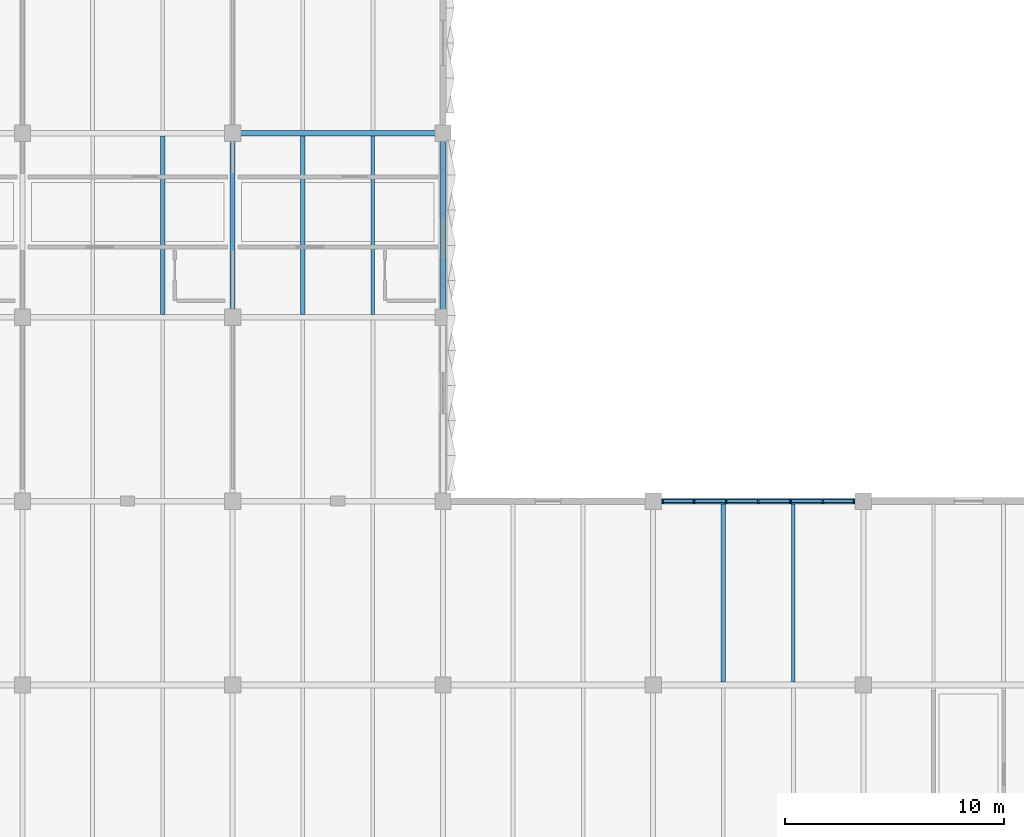
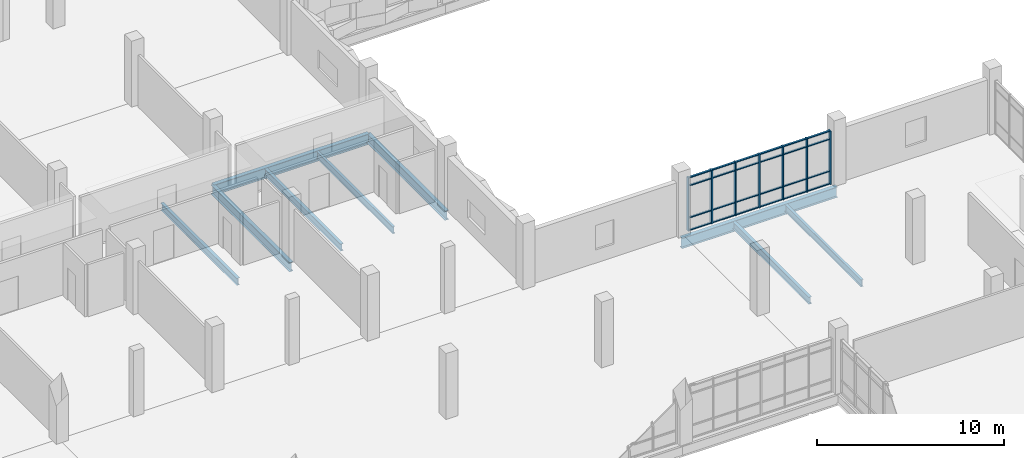
# One storey, part 34 of 86: 31 members, 9 beams, 1 element without a shape of its own.
"""IFC4 building model written with IfcOpenShell, lengths in metres."""

from ifc_helpers import new_model, si_unit, direction, frame, origin, origin_2d, place, context, subcontext, project, spatial, rectangle, i_section, extrude, material, material_profile, profile_set, type_object, element, aggregate, save


model = new_model("IFC4")

# Units and contexts
model_context = context("Model", 3, precision=1e-05, world=origin(), true_north=direction((0.0, 1.0)))
body_context = subcontext(model_context, "Body", "Model", "MODEL_VIEW")
ifc_project = project(units=[si_unit("LENGTHUNIT", "METRE"), si_unit("AREAUNIT", "SQUARE_METRE"), si_unit("VOLUMEUNIT", "CUBIC_METRE"), si_unit("PLANEANGLEUNIT", "RADIAN"), si_unit("MASSUNIT", "GRAM", prefix="KILO")], contexts=[model_context])

# Site, building, storey
site_placement = place(None, origin())
site = spatial("IfcSite", under=ifc_project, at=site_placement, CompositionType="ELEMENT")
building_placement = place(site_placement, origin())
building = spatial("IfcBuilding", under=site, at=building_placement, Name="Oolite Switchyard Hospital", CompositionType="ELEMENT")
storey_placement = place(building_placement, frame((0.0, 0.0, 13.5)))
storey = spatial("IfcBuildingStorey", under=building, at=storey_placement, Name="L03", CompositionType="ELEMENT", Elevation=13.5)

# Beams
ifc_material_1 = material(Name="Steel ASTM A992 Grade 50", Category="steel")
ifc_material_profile_1 = material_profile(ifc_material_1, i_section(OverallWidth=0.153076171875, OverallDepth=0.455078125, WebThickness=0.008056640625, FlangeThickness=0.012939453125, at=origin_2d()), Name="W18X40")
ifc_profile_set_1 = profile_set([ifc_material_profile_1], Name="Steel ASTM A992 Grade 50")
beam_type_1 = type_object("IfcBeamType", Name="BM-W18X40", PredefinedType="JOIST", material=ifc_profile_set_1)
for number, where, z_axis, x_axis, name in (
    (1, (169.60009765625, 84.126953125, -0.501953125), (0.0, 1.0, 0.0), (-1.0, 0.0, 0.0), "L03 Secondary Steel Joist 2669"),
    (2, (188.800048828125, 67.326904296875, -0.501953125), (0.0, 1.0, 0.0), (-1.0, 0.0, 0.0), "L03 Secondary Steel Joist 2709"),
):
    element("IfcBeam", number, at=place(storey_placement, frame(where, z_axis=z_axis, x_axis=x_axis)), inside=storey, type_object=beam_type_1, Name=name, PredefinedType="JOIST", context=body_context, shape_type="SweptSolid", body=[
        extrude(i_section(OverallWidth=0.153076171875, OverallDepth=0.455078125, WebThickness=0.008056640625, FlangeThickness=0.012939453125, at=origin_2d()), origin(), (0.0, 0.0, 1.0), 8.14599609375),
    ])
ifc_material_profile_2 = material_profile(ifc_material_1, i_section(OverallWidth=0.19091796875, OverallDepth=0.4599609375, WebThickness=0.010009765625, FlangeThickness=0.01611328125, at=origin_2d()), Name="W18X55")
ifc_profile_set_2 = profile_set([ifc_material_profile_2], Name="Steel ASTM A992 Grade 50")
beam_type_2 = type_object("IfcBeamType", Name="BM-W18X55", PredefinedType="JOIST", material=ifc_profile_set_2)
for number, where, z_axis, x_axis, name in (
    (3, (160.0, 84.126953125, -0.5048828125), (0.0, 1.0, 0.0), (-1.0, 0.0, 0.0), "L03 Secondary Steel Joist 2649"),
    (4, (166.39990234375, 84.126953125, -0.5048828125), (0.0, 1.0, 0.0), (-1.0, 0.0, 0.0), "L03 Secondary Steel Joist 2668"),
    (5, (185.60009765625, 67.326904296875, -0.5048828125), (0.0, 1.0, 0.0), (-1.0, 0.0, 0.0), "L03 Secondary Steel Joist 2708"),
):
    element("IfcBeam", number, at=place(storey_placement, frame(where, z_axis=z_axis, x_axis=x_axis)), inside=storey, type_object=beam_type_2, Name=name, PredefinedType="JOIST", context=body_context, shape_type="SweptSolid", body=[
        extrude(i_section(OverallWidth=0.19091796875, OverallDepth=0.4599609375, WebThickness=0.010009765625, FlangeThickness=0.01611328125, at=origin_2d()), origin(), (0.0, 0.0, 1.0), 8.14599609375),
    ])
ifc_material_profile_3 = material_profile(ifc_material_1, i_section(OverallWidth=0.22900390625, OverallDepth=0.612060546875, WebThickness=0.011962890625, FlangeThickness=0.02001953125, at=origin_2d()), Name="W24X84")
ifc_profile_set_3 = profile_set([ifc_material_profile_3], Name="Steel ASTM A992 Grade 50")
beam_type_3 = type_object("IfcBeamType", Name="BM-W24X84", PredefinedType="BEAM", material=ifc_profile_set_3)
for number, where, z_axis, x_axis, name in (
    (6, (163.199951171875, 84.0, -0.5810546875), (0.0, 1.0, 0.0), (-1.0, 0.0, 0.0), "L03 Y-Girder 2329"),
    (7, (172.800048828125, 84.0, -0.5810546875), (0.0, 1.0, 0.0), (-1.0, 0.0, 0.0), "L03 Y-Girder 2340"),
):
    element("IfcBeam", number, at=place(storey_placement, frame(where, z_axis=z_axis, x_axis=x_axis)), inside=storey, type_object=beam_type_3, Name=name, PredefinedType="BEAM", context=body_context, shape_type="SweptSolid", body=[
        extrude(i_section(OverallWidth=0.22900390625, OverallDepth=0.612060546875, WebThickness=0.011962890625, FlangeThickness=0.02001953125, at=origin_2d()), origin(), (0.0, 0.0, 1.0), 8.39990234375),
    ])
ifc_material_profile_4 = material_profile(ifc_material_1, i_section(OverallWidth=0.25390625, OverallDepth=0.68408203125, WebThickness=0.011962890625, FlangeThickness=0.01904296875, at=origin_2d()), Name="W27X94")
ifc_profile_set_4 = profile_set([ifc_material_profile_4], Name="Steel ASTM A992 Grade 50")
beam_type_4 = type_object("IfcBeamType", Name="BM-W27X94", PredefinedType="BEAM", material=ifc_profile_set_4)
for number, where, z_axis, x_axis, name in (
    (8, (182.39990234375, 75.60009765625, -0.616943359375), (1.0, 0.0, 0.0), (0.0, 1.0, 0.0), "L03 X-Girder 2036"),
    (9, (163.199951171875, 92.39990234375, -0.616943359375), (1.0, 0.0, 0.0), (0.0, 1.0, 0.0), "L03 X-Girder 2073"),
):
    element("IfcBeam", number, at=place(storey_placement, frame(where, z_axis=z_axis, x_axis=x_axis)), inside=storey, type_object=beam_type_4, Name=name, PredefinedType="BEAM", context=body_context, shape_type="SweptSolid", body=[
        extrude(i_section(OverallWidth=0.25390625, OverallDepth=0.68408203125, WebThickness=0.011962890625, FlangeThickness=0.01904296875, at=origin_2d()), origin(), (0.0, 0.0, 1.0), 9.60009765625),
    ])

# Curtain wall, members
ifc_material_2 = material(Name="Thermally broken aluminum frame with laminated impact glazing", Category="aluminium")
curtain_wall_type = type_object("IfcCurtainWallType", Name="CW-UNIT-96X43", PredefinedType="USERDEFINED", material=ifc_material_2)
curtain_wall_placement = place(storey_placement, origin())
curtain_wall = element("IfcCurtainWall", 10, at=curtain_wall_placement, inside=storey, type_object=curtain_wall_type, Name="L03 Unitised Curtain Wall 338", ObjectType="UNITISED", PredefinedType="USERDEFINED")
ifc_material_3 = material(Name="Aluminium 6063-T6", Category="aluminium")
ifc_material_profile_5 = material_profile(ifc_material_3, rectangle(XDim=0.199951171875, YDim=0.074951171875, at=origin_2d()), Name="CWM75X200")
ifc_profile_set_5 = profile_set([ifc_material_profile_5], Name="Aluminium 6063-T6")
member_type_1 = type_object("IfcMemberType", Name="CW-MUL-260", PredefinedType="MULLION", material=ifc_profile_set_5)
member_1_placement = place(storey_placement, frame((182.827392578125, 75.60009765625, 0.0), z_axis=(0.0, 0.0, 1.0), x_axis=(0.0, 1.0, 0.0)))
member_1 = element("IfcMember", 11, at=member_1_placement, type_object=member_type_1, Name="CW-04 mullion 1", PredefinedType="MULLION", context=body_context, shape_type="SweptSolid", body=[
    extrude(rectangle(XDim=0.199951171875, YDim=0.074951171875, at=origin_2d()), origin(), (0.0, 0.0, 1.0), 3.489990234375),
])
member_2_placement = place(storey_placement, frame((184.260009765625, 75.60009765625, 0.0), z_axis=(0.0, 0.0, 1.0), x_axis=(0.0, 1.0, 0.0)))
member_2 = element("IfcMember", 12, at=member_2_placement, type_object=member_type_1, Name="CW-04 mullion 2", PredefinedType="MULLION", context=body_context, shape_type="SweptSolid", body=[
    extrude(rectangle(XDim=0.199951171875, YDim=0.074951171875, at=origin_2d()), origin(), (0.0, 0.0, 1.0), 3.489990234375),
])
member_3_placement = place(storey_placement, frame((185.72998046875, 75.60009765625, 0.0), z_axis=(0.0, 0.0, 1.0), x_axis=(0.0, 1.0, 0.0)))
member_3 = element("IfcMember", 13, at=member_3_placement, type_object=member_type_1, Name="CW-04 mullion 3", PredefinedType="MULLION", context=body_context, shape_type="SweptSolid", body=[
    extrude(rectangle(XDim=0.199951171875, YDim=0.074951171875, at=origin_2d()), origin(), (0.0, 0.0, 1.0), 3.489990234375),
])
member_4_placement = place(storey_placement, frame((187.199951171875, 75.60009765625, 0.0), z_axis=(0.0, 0.0, 1.0), x_axis=(0.0, 1.0, 0.0)))
member_4 = element("IfcMember", 14, at=member_4_placement, type_object=member_type_1, Name="CW-04 mullion 4", PredefinedType="MULLION", context=body_context, shape_type="SweptSolid", body=[
    extrude(rectangle(XDim=0.199951171875, YDim=0.074951171875, at=origin_2d()), origin(), (0.0, 0.0, 1.0), 3.489990234375),
])
member_5_placement = place(storey_placement, frame((188.669921875, 75.60009765625, 0.0), z_axis=(0.0, 0.0, 1.0), x_axis=(0.0, 1.0, 0.0)))
member_5 = element("IfcMember", 15, at=member_5_placement, type_object=member_type_1, Name="CW-04 mullion 5", PredefinedType="MULLION", context=body_context, shape_type="SweptSolid", body=[
    extrude(rectangle(XDim=0.199951171875, YDim=0.074951171875, at=origin_2d()), origin(), (0.0, 0.0, 1.0), 3.489990234375),
])
member_6_placement = place(storey_placement, frame((190.139892578125, 75.60009765625, 0.0), z_axis=(0.0, 0.0, 1.0), x_axis=(0.0, 1.0, 0.0)))
member_6 = element("IfcMember", 16, at=member_6_placement, type_object=member_type_1, Name="CW-04 mullion 6", PredefinedType="MULLION", context=body_context, shape_type="SweptSolid", body=[
    extrude(rectangle(XDim=0.199951171875, YDim=0.074951171875, at=origin_2d()), origin(), (0.0, 0.0, 1.0), 3.489990234375),
])
member_7_placement = place(storey_placement, frame((191.572509765625, 75.60009765625, 0.0), z_axis=(0.0, 0.0, 1.0), x_axis=(0.0, 1.0, 0.0)))
member_7 = element("IfcMember", 17, at=member_7_placement, type_object=member_type_1, Name="CW-04 mullion 7", PredefinedType="MULLION", context=body_context, shape_type="SweptSolid", body=[
    extrude(rectangle(XDim=0.199951171875, YDim=0.074951171875, at=origin_2d()), origin(), (0.0, 0.0, 1.0), 3.489990234375),
])
ifc_material_profile_6 = material_profile(ifc_material_3, rectangle(XDim=0.1201171875, YDim=0.06005859375, at=origin_2d()), Name="CWT60X120")
ifc_profile_set_6 = profile_set([ifc_material_profile_6], Name="Aluminium 6063-T6")
member_type_2 = type_object("IfcMemberType", Name="CW-TRN-150", PredefinedType="USERDEFINED", material=ifc_profile_set_6)
member_8_placement = place(storey_placement, frame((182.864990234375, 75.60009765625, 0.030029296875), z_axis=(1.0, 0.0, 0.0), x_axis=(0.0, 1.0, 0.0)))
member_8 = element("IfcMember", 18, at=member_8_placement, type_object=member_type_2, Name="CW-04 transom 1.1", ObjectType="TRANSOM", PredefinedType="USERDEFINED", context=body_context, shape_type="SweptSolid", body=[
    extrude(rectangle(XDim=0.1201171875, YDim=0.06005859375, at=origin_2d()), origin(), (0.0, 0.0, 1.0), 1.357421875),
])
member_9_placement = place(storey_placement, frame((182.864990234375, 75.60009765625, 0.85009765625), z_axis=(1.0, 0.0, 0.0), x_axis=(0.0, 1.0, 0.0)))
member_9 = element("IfcMember", 19, at=member_9_placement, type_object=member_type_2, Name="CW-04 transom 1.2", ObjectType="TRANSOM", PredefinedType="USERDEFINED", context=body_context, shape_type="SweptSolid", body=[
    extrude(rectangle(XDim=0.1201171875, YDim=0.06005859375, at=origin_2d()), origin(), (0.0, 0.0, 1.0), 1.357421875),
])
member_10_placement = place(storey_placement, frame((182.864990234375, 75.60009765625, 2.93994140625), z_axis=(1.0, 0.0, 0.0), x_axis=(0.0, 1.0, 0.0)))
member_10 = element("IfcMember", 20, at=member_10_placement, type_object=member_type_2, Name="CW-04 transom 1.3", ObjectType="TRANSOM", PredefinedType="USERDEFINED", context=body_context, shape_type="SweptSolid", body=[
    extrude(rectangle(XDim=0.1201171875, YDim=0.06005859375, at=origin_2d()), origin(), (0.0, 0.0, 1.0), 1.357421875),
])
member_11_placement = place(storey_placement, frame((182.864990234375, 75.60009765625, 3.4599609375), z_axis=(1.0, 0.0, 0.0), x_axis=(0.0, 1.0, 0.0)))
member_11 = element("IfcMember", 21, at=member_11_placement, type_object=member_type_2, Name="CW-04 transom 1.4", ObjectType="TRANSOM", PredefinedType="USERDEFINED", context=body_context, shape_type="SweptSolid", body=[
    extrude(rectangle(XDim=0.1201171875, YDim=0.06005859375, at=origin_2d()), origin(), (0.0, 0.0, 1.0), 1.357421875),
])
member_12_placement = place(storey_placement, frame((184.297607421875, 75.60009765625, 0.030029296875), z_axis=(1.0, 0.0, 0.0), x_axis=(0.0, 1.0, 0.0)))
member_12 = element("IfcMember", 22, at=member_12_placement, type_object=member_type_2, Name="CW-04 transom 2.1", ObjectType="TRANSOM", PredefinedType="USERDEFINED", context=body_context, shape_type="SweptSolid", body=[
    extrude(rectangle(XDim=0.1201171875, YDim=0.06005859375, at=origin_2d()), origin(), (0.0, 0.0, 1.0), 1.394775390625),
])
member_13_placement = place(storey_placement, frame((184.297607421875, 75.60009765625, 0.85009765625), z_axis=(1.0, 0.0, 0.0), x_axis=(0.0, 1.0, 0.0)))
member_13 = element("IfcMember", 23, at=member_13_placement, type_object=member_type_2, Name="CW-04 transom 2.2", ObjectType="TRANSOM", PredefinedType="USERDEFINED", context=body_context, shape_type="SweptSolid", body=[
    extrude(rectangle(XDim=0.1201171875, YDim=0.06005859375, at=origin_2d()), origin(), (0.0, 0.0, 1.0), 1.394775390625),
])
member_14_placement = place(storey_placement, frame((184.297607421875, 75.60009765625, 2.93994140625), z_axis=(1.0, 0.0, 0.0), x_axis=(0.0, 1.0, 0.0)))
member_14 = element("IfcMember", 24, at=member_14_placement, type_object=member_type_2, Name="CW-04 transom 2.3", ObjectType="TRANSOM", PredefinedType="USERDEFINED", context=body_context, shape_type="SweptSolid", body=[
    extrude(rectangle(XDim=0.1201171875, YDim=0.06005859375, at=origin_2d()), origin(), (0.0, 0.0, 1.0), 1.394775390625),
])
member_15_placement = place(storey_placement, frame((184.297607421875, 75.60009765625, 3.4599609375), z_axis=(1.0, 0.0, 0.0), x_axis=(0.0, 1.0, 0.0)))
member_15 = element("IfcMember", 25, at=member_15_placement, type_object=member_type_2, Name="CW-04 transom 2.4", ObjectType="TRANSOM", PredefinedType="USERDEFINED", context=body_context, shape_type="SweptSolid", body=[
    extrude(rectangle(XDim=0.1201171875, YDim=0.06005859375, at=origin_2d()), origin(), (0.0, 0.0, 1.0), 1.394775390625),
])
member_16_placement = place(storey_placement, frame((185.767578125, 75.60009765625, 0.030029296875), z_axis=(1.0, 0.0, 0.0), x_axis=(0.0, 1.0, 0.0)))
member_16 = element("IfcMember", 26, at=member_16_placement, type_object=member_type_2, Name="CW-04 transom 3.1", ObjectType="TRANSOM", PredefinedType="USERDEFINED", context=body_context, shape_type="SweptSolid", body=[
    extrude(rectangle(XDim=0.1201171875, YDim=0.06005859375, at=origin_2d()), origin(), (0.0, 0.0, 1.0), 1.39501953125),
])
member_17_placement = place(storey_placement, frame((185.767578125, 75.60009765625, 0.85009765625), z_axis=(1.0, 0.0, 0.0), x_axis=(0.0, 1.0, 0.0)))
member_17 = element("IfcMember", 27, at=member_17_placement, type_object=member_type_2, Name="CW-04 transom 3.2", ObjectType="TRANSOM", PredefinedType="USERDEFINED", context=body_context, shape_type="SweptSolid", body=[
    extrude(rectangle(XDim=0.1201171875, YDim=0.06005859375, at=origin_2d()), origin(), (0.0, 0.0, 1.0), 1.39501953125),
])
member_18_placement = place(storey_placement, frame((185.767578125, 75.60009765625, 2.93994140625), z_axis=(1.0, 0.0, 0.0), x_axis=(0.0, 1.0, 0.0)))
member_18 = element("IfcMember", 28, at=member_18_placement, type_object=member_type_2, Name="CW-04 transom 3.3", ObjectType="TRANSOM", PredefinedType="USERDEFINED", context=body_context, shape_type="SweptSolid", body=[
    extrude(rectangle(XDim=0.1201171875, YDim=0.06005859375, at=origin_2d()), origin(), (0.0, 0.0, 1.0), 1.39501953125),
])
member_19_placement = place(storey_placement, frame((185.767578125, 75.60009765625, 3.4599609375), z_axis=(1.0, 0.0, 0.0), x_axis=(0.0, 1.0, 0.0)))
member_19 = element("IfcMember", 29, at=member_19_placement, type_object=member_type_2, Name="CW-04 transom 3.4", ObjectType="TRANSOM", PredefinedType="USERDEFINED", context=body_context, shape_type="SweptSolid", body=[
    extrude(rectangle(XDim=0.1201171875, YDim=0.06005859375, at=origin_2d()), origin(), (0.0, 0.0, 1.0), 1.39501953125),
])
member_20_placement = place(storey_placement, frame((187.237548828125, 75.60009765625, 0.030029296875), z_axis=(1.0, 0.0, 0.0), x_axis=(0.0, 1.0, 0.0)))
member_20 = element("IfcMember", 30, at=member_20_placement, type_object=member_type_2, Name="CW-04 transom 4.1", ObjectType="TRANSOM", PredefinedType="USERDEFINED", context=body_context, shape_type="SweptSolid", body=[
    extrude(rectangle(XDim=0.1201171875, YDim=0.06005859375, at=origin_2d()), origin(), (0.0, 0.0, 1.0), 1.39501953125),
])
member_21_placement = place(storey_placement, frame((187.237548828125, 75.60009765625, 0.85009765625), z_axis=(1.0, 0.0, 0.0), x_axis=(0.0, 1.0, 0.0)))
member_21 = element("IfcMember", 31, at=member_21_placement, type_object=member_type_2, Name="CW-04 transom 4.2", ObjectType="TRANSOM", PredefinedType="USERDEFINED", context=body_context, shape_type="SweptSolid", body=[
    extrude(rectangle(XDim=0.1201171875, YDim=0.06005859375, at=origin_2d()), origin(), (0.0, 0.0, 1.0), 1.39501953125),
])
member_22_placement = place(storey_placement, frame((187.237548828125, 75.60009765625, 2.93994140625), z_axis=(1.0, 0.0, 0.0), x_axis=(0.0, 1.0, 0.0)))
member_22 = element("IfcMember", 32, at=member_22_placement, type_object=member_type_2, Name="CW-04 transom 4.3", ObjectType="TRANSOM", PredefinedType="USERDEFINED", context=body_context, shape_type="SweptSolid", body=[
    extrude(rectangle(XDim=0.1201171875, YDim=0.06005859375, at=origin_2d()), origin(), (0.0, 0.0, 1.0), 1.39501953125),
])
member_23_placement = place(storey_placement, frame((187.237548828125, 75.60009765625, 3.4599609375), z_axis=(1.0, 0.0, 0.0), x_axis=(0.0, 1.0, 0.0)))
member_23 = element("IfcMember", 33, at=member_23_placement, type_object=member_type_2, Name="CW-04 transom 4.4", ObjectType="TRANSOM", PredefinedType="USERDEFINED", context=body_context, shape_type="SweptSolid", body=[
    extrude(rectangle(XDim=0.1201171875, YDim=0.06005859375, at=origin_2d()), origin(), (0.0, 0.0, 1.0), 1.39501953125),
])
member_24_placement = place(storey_placement, frame((188.70751953125, 75.60009765625, 0.030029296875), z_axis=(1.0, 0.0, 0.0), x_axis=(0.0, 1.0, 0.0)))
member_24 = element("IfcMember", 34, at=member_24_placement, type_object=member_type_2, Name="CW-04 transom 5.1", ObjectType="TRANSOM", PredefinedType="USERDEFINED", context=body_context, shape_type="SweptSolid", body=[
    extrude(rectangle(XDim=0.1201171875, YDim=0.06005859375, at=origin_2d()), origin(), (0.0, 0.0, 1.0), 1.39501953125),
])
member_25_placement = place(storey_placement, frame((188.70751953125, 75.60009765625, 0.85009765625), z_axis=(1.0, 0.0, 0.0), x_axis=(0.0, 1.0, 0.0)))
member_25 = element("IfcMember", 35, at=member_25_placement, type_object=member_type_2, Name="CW-04 transom 5.2", ObjectType="TRANSOM", PredefinedType="USERDEFINED", context=body_context, shape_type="SweptSolid", body=[
    extrude(rectangle(XDim=0.1201171875, YDim=0.06005859375, at=origin_2d()), origin(), (0.0, 0.0, 1.0), 1.39501953125),
])
member_26_placement = place(storey_placement, frame((188.70751953125, 75.60009765625, 2.93994140625), z_axis=(1.0, 0.0, 0.0), x_axis=(0.0, 1.0, 0.0)))
member_26 = element("IfcMember", 36, at=member_26_placement, type_object=member_type_2, Name="CW-04 transom 5.3", ObjectType="TRANSOM", PredefinedType="USERDEFINED", context=body_context, shape_type="SweptSolid", body=[
    extrude(rectangle(XDim=0.1201171875, YDim=0.06005859375, at=origin_2d()), origin(), (0.0, 0.0, 1.0), 1.39501953125),
])
member_27_placement = place(storey_placement, frame((188.70751953125, 75.60009765625, 3.4599609375), z_axis=(1.0, 0.0, 0.0), x_axis=(0.0, 1.0, 0.0)))
member_27 = element("IfcMember", 37, at=member_27_placement, type_object=member_type_2, Name="CW-04 transom 5.4", ObjectType="TRANSOM", PredefinedType="USERDEFINED", context=body_context, shape_type="SweptSolid", body=[
    extrude(rectangle(XDim=0.1201171875, YDim=0.06005859375, at=origin_2d()), origin(), (0.0, 0.0, 1.0), 1.39501953125),
])
member_28_placement = place(storey_placement, frame((190.177490234375, 75.60009765625, 0.030029296875), z_axis=(1.0, 0.0, 0.0), x_axis=(0.0, 1.0, 0.0)))
member_28 = element("IfcMember", 38, at=member_28_placement, type_object=member_type_2, Name="CW-04 transom 6.1", ObjectType="TRANSOM", PredefinedType="USERDEFINED", context=body_context, shape_type="SweptSolid", body=[
    extrude(rectangle(XDim=0.1201171875, YDim=0.06005859375, at=origin_2d()), origin(), (0.0, 0.0, 1.0), 1.357421875),
])
member_29_placement = place(storey_placement, frame((190.177490234375, 75.60009765625, 0.85009765625), z_axis=(1.0, 0.0, 0.0), x_axis=(0.0, 1.0, 0.0)))
member_29 = element("IfcMember", 39, at=member_29_placement, type_object=member_type_2, Name="CW-04 transom 6.2", ObjectType="TRANSOM", PredefinedType="USERDEFINED", context=body_context, shape_type="SweptSolid", body=[
    extrude(rectangle(XDim=0.1201171875, YDim=0.06005859375, at=origin_2d()), origin(), (0.0, 0.0, 1.0), 1.357421875),
])
member_30_placement = place(storey_placement, frame((190.177490234375, 75.60009765625, 2.93994140625), z_axis=(1.0, 0.0, 0.0), x_axis=(0.0, 1.0, 0.0)))
member_30 = element("IfcMember", 40, at=member_30_placement, type_object=member_type_2, Name="CW-04 transom 6.3", ObjectType="TRANSOM", PredefinedType="USERDEFINED", context=body_context, shape_type="SweptSolid", body=[
    extrude(rectangle(XDim=0.1201171875, YDim=0.06005859375, at=origin_2d()), origin(), (0.0, 0.0, 1.0), 1.357421875),
])
member_31_placement = place(storey_placement, frame((190.177490234375, 75.60009765625, 3.4599609375), z_axis=(1.0, 0.0, 0.0), x_axis=(0.0, 1.0, 0.0)))
member_31 = element("IfcMember", 41, at=member_31_placement, type_object=member_type_2, Name="CW-04 transom 6.4", ObjectType="TRANSOM", PredefinedType="USERDEFINED", context=body_context, shape_type="SweptSolid", body=[
    extrude(rectangle(XDim=0.1201171875, YDim=0.06005859375, at=origin_2d()), origin(), (0.0, 0.0, 1.0), 1.357421875),
])
aggregate(curtain_wall, [member_1, member_2, member_3, member_4, member_5, member_6, member_7, member_8, member_9, member_10, member_11, member_12, member_13, member_14, member_15, member_16, member_17, member_18, member_19, member_20, member_21, member_22, member_23, member_24, member_25, member_26, member_27, member_28, member_29, member_30, member_31])

save(model, "model.ifc")
